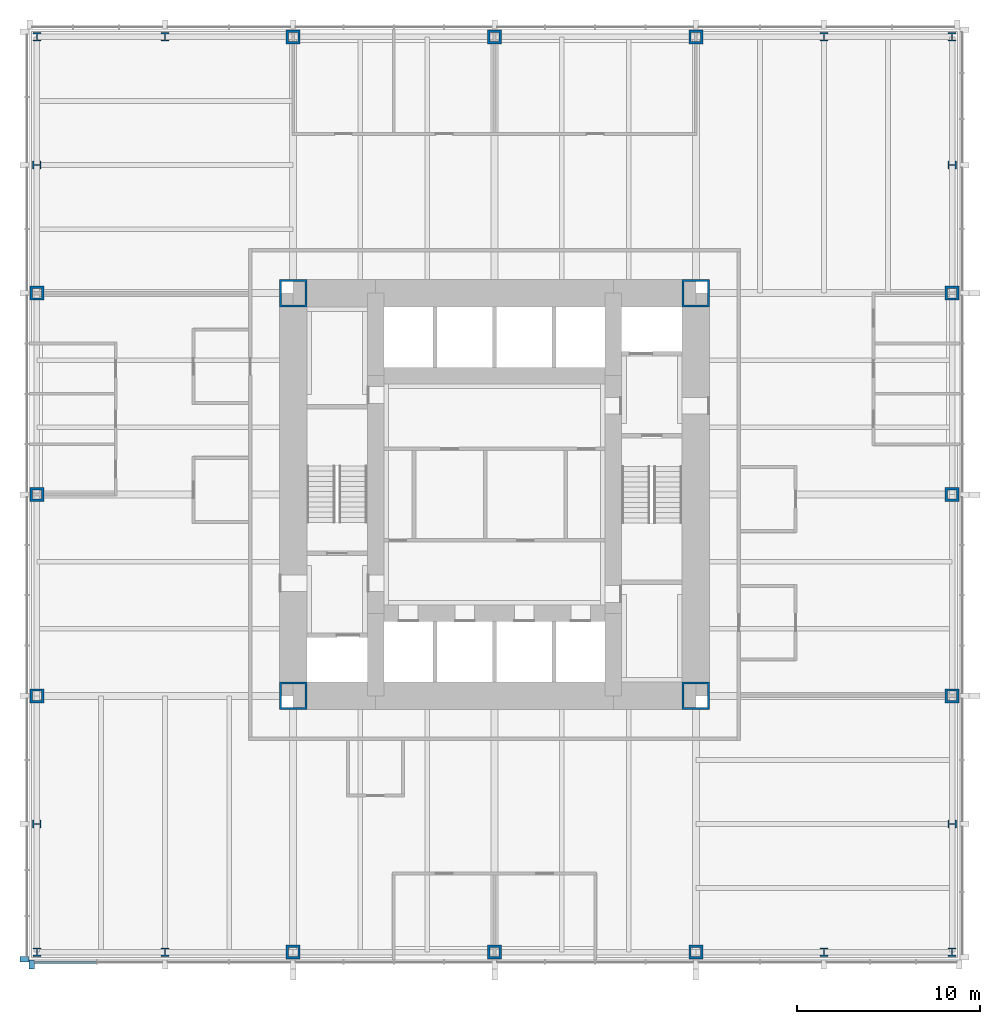
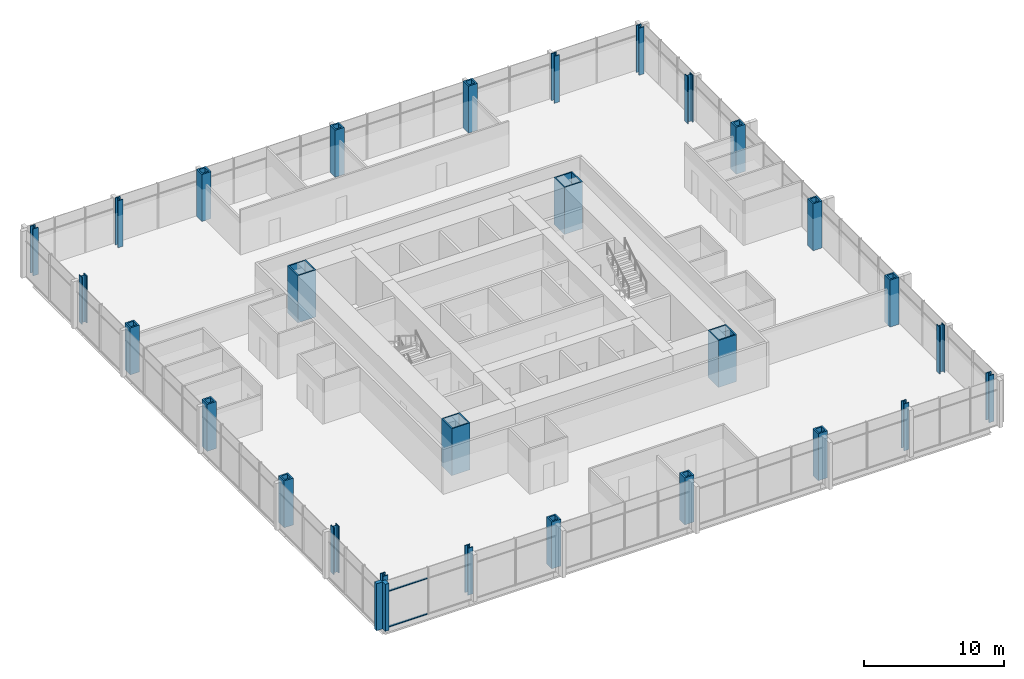
# One storey, part 1 of 12: 28 columns, 4 members, 2 elements without a shape of their own.
"""IFC4 building model written with IfcOpenShell, lengths in metres."""

from ifc_helpers import new_model, si_unit, direction, frame, origin, origin_2d, place, context, subcontext, project, spatial, rectangle, hollow_rectangle, i_section, extrude, material, material_profile, profile_set, type_object, element, aggregate, save


model = new_model("IFC4")

# Units and contexts
model_context = context("Model", 3, precision=1e-05, world=origin(), true_north=direction((0.0, 1.0)))
body_context = subcontext(model_context, "Body", "Model", "MODEL_VIEW")
ifc_project = project(units=[si_unit("LENGTHUNIT", "METRE"), si_unit("AREAUNIT", "SQUARE_METRE"), si_unit("VOLUMEUNIT", "CUBIC_METRE"), si_unit("PLANEANGLEUNIT", "RADIAN"), si_unit("MASSUNIT", "GRAM", prefix="KILO")], contexts=[model_context])

# Site, building, storey
site_placement = place(None, origin())
site = spatial("IfcSite", under=ifc_project, at=site_placement, CompositionType="ELEMENT")
building_placement = place(site_placement, origin())
building = spatial("IfcBuilding", under=site, at=building_placement, Name="Trevanion Tower", CompositionType="ELEMENT")
storey_placement = place(building_placement, frame((0.0, 0.0, 57.0)))
storey = spatial("IfcBuildingStorey", under=building, at=storey_placement, Name="L13", CompositionType="ELEMENT", Elevation=57.0)

# Columns
ifc_material_1 = material(Name="Steel ASTM A588 Grade 50", Category="steel")
ifc_material_profile_1 = material_profile(ifc_material_1, hollow_rectangle(XDim=0.761962890625, YDim=0.761962890625, WallThickness=0.126953125, at=origin_2d()), Name="BOX30X30X5")
ifc_profile_set_1 = profile_set([ifc_material_profile_1], Name="Steel ASTM A588 Grade 50")
column_type_1 = type_object("IfcColumnType", Name="C1 BOX30X30X5", PredefinedType="COLUMN", material=ifc_profile_set_1)
for number, where, z_axis, x_axis, name in (
    (1, (-25.0, 0.0, 0.0), (0.0, 0.0, 1.0), (0.0, 1.0, 0.0), "C1 3/H L13"),
    (2, (-25.0, -11.0, 0.0), (0.0, 0.0, 1.0), (0.0, 1.0, 0.0), "C1 3/F L13"),
    (3, (-11.0, -25.0, 0.0), (0.0, 0.0, 1.0), (1.0, 0.0, 0.0), "C1 8/A L13"),
    (4, (0.0, -25.0, 0.0), (0.0, 0.0, 1.0), (1.0, 0.0, 0.0), "C1 10/A L13"),
    (5, (11.0, -25.0, 0.0), (0.0, 0.0, 1.0), (1.0, 0.0, 0.0), "C1 12/A L13"),
    (6, (25.0, -11.0, 0.0), (0.0, 0.0, 1.0), (0.0, 1.0, 0.0), "C1 17/F L13"),
    (7, (25.0, 0.0, 0.0), (0.0, 0.0, 1.0), (0.0, 1.0, 0.0), "C1 17/H L13"),
    (8, (25.0, 11.0, 0.0), (0.0, 0.0, 1.0), (0.0, 1.0, 0.0), "C1 17/K L13"),
    (9, (11.0, 25.0, 0.0), (0.0, 0.0, 1.0), (1.0, 0.0, 0.0), "C1 12/Q L13"),
    (10, (0.0, 25.0, 0.0), (0.0, 0.0, 1.0), (1.0, 0.0, 0.0), "C1 10/Q L13"),
    (11, (-11.0, 25.0, 0.0), (0.0, 0.0, 1.0), (1.0, 0.0, 0.0), "C1 8/Q L13"),
    (12, (-25.0, 11.0, 0.0), (0.0, 0.0, 1.0), (0.0, 1.0, 0.0), "C1 3/K L13"),
):
    element("IfcColumn", number, at=place(storey_placement, frame(where, z_axis=z_axis, x_axis=x_axis)), inside=storey, type_object=column_type_1, Name=name, PredefinedType="COLUMN", context=body_context, shape_type="SweptSolid", body=[
        extrude(hollow_rectangle(XDim=0.761962890625, YDim=0.761962890625, WallThickness=0.126953125, at=origin_2d()), origin(), (0.0, 0.0, 1.0), 4.10009765625),
    ])
ifc_material_2 = material(Name="Steel ASTM A913 Grade 65", Category="steel")
ifc_material_profile_2 = material_profile(ifc_material_2, i_section(OverallWidth=0.421630859375, OverallDepth=0.46484375, WebThickness=0.044921875, FlangeThickness=0.072509765625, at=origin_2d()), Name="W14X398")
ifc_profile_set_2 = profile_set([ifc_material_profile_2], Name="Steel ASTM A913 Grade 65")
column_type_2 = type_object("IfcColumnType", Name="C2 W14X398", PredefinedType="COLUMN", material=ifc_profile_set_2)
for number, where, z_axis, x_axis, name in (
    (13, (-25.0, -18.0, 0.0), (0.0, 0.0, 1.0), (0.0, 1.0, 0.0), "C2 3/D L13"),
    (14, (-25.0, -25.0, 0.0), (0.0, 0.0, 1.0), (1.0, 0.0, 0.0), "C2 3/A L13"),
    (15, (-18.0, -25.0, 0.0), (0.0, 0.0, 1.0), (1.0, 0.0, 0.0), "C2 6/A L13"),
    (16, (18.0, -25.0, 0.0), (0.0, 0.0, 1.0), (1.0, 0.0, 0.0), "C2 14/A L13"),
    (17, (25.0, -25.0, 0.0), (0.0, 0.0, 1.0), (1.0, 0.0, 0.0), "C2 17/A L13"),
    (18, (25.0, -18.0, 0.0), (0.0, 0.0, 1.0), (0.0, 1.0, 0.0), "C2 17/D L13"),
    (19, (25.0, 18.0, 0.0), (0.0, 0.0, 1.0), (0.0, 1.0, 0.0), "C2 17/M L13"),
    (20, (25.0, 25.0, 0.0), (0.0, 0.0, 1.0), (1.0, 0.0, 0.0), "C2 17/Q L13"),
    (21, (18.0, 25.0, 0.0), (0.0, 0.0, 1.0), (1.0, 0.0, 0.0), "C2 14/Q L13"),
    (22, (-18.0, 25.0, 0.0), (0.0, 0.0, 1.0), (1.0, 0.0, 0.0), "C2 6/Q L13"),
    (23, (-25.0, 25.0, 0.0), (0.0, 0.0, 1.0), (1.0, 0.0, 0.0), "C2 3/Q L13"),
    (24, (-25.0, 18.0, 0.0), (0.0, 0.0, 1.0), (0.0, 1.0, 0.0), "C2 3/M L13"),
):
    element("IfcColumn", number, at=place(storey_placement, frame(where, z_axis=z_axis, x_axis=x_axis)), inside=storey, type_object=column_type_2, Name=name, PredefinedType="COLUMN", context=body_context, shape_type="SweptSolid", body=[
        extrude(i_section(OverallWidth=0.421630859375, OverallDepth=0.46484375, WebThickness=0.044921875, FlangeThickness=0.072509765625, at=origin_2d()), origin(), (0.0, 0.0, 1.0), 4.10009765625),
    ])
ifc_material_3 = material(Name="Steel ASTM A572 Grade 50", Category="steel")
ifc_material_profile_3 = material_profile(ifc_material_3, hollow_rectangle(XDim=1.49853515625, YDim=1.49853515625, WallThickness=0.1015625, at=origin_2d()), Name="BOX59X59X4")
ifc_profile_set_3 = profile_set([ifc_material_profile_3], Name="Steel ASTM A572 Grade 50")
column_type_3 = type_object("IfcColumnType", Name="CB1 BOX59X59X4", PredefinedType="COLUMN", material=ifc_profile_set_3)
for number, where, z_axis, x_axis, name in (
    (25, (11.0, 11.0, 0.0), (0.0, 0.0, 1.0), (1.0, 0.0, 0.0), "CB1 NE L13"),
    (26, (-11.0, 11.0, 0.0), (0.0, 0.0, 1.0), (1.0, 0.0, 0.0), "CB1 NW L13"),
    (27, (-11.0, -11.0, 0.0), (0.0, 0.0, 1.0), (1.0, 0.0, 0.0), "CB1 SW L13"),
    (28, (11.0, -11.0, 0.0), (0.0, 0.0, 1.0), (1.0, 0.0, 0.0), "CB1 SE L13"),
):
    element("IfcColumn", number, at=place(storey_placement, frame(where, z_axis=z_axis, x_axis=x_axis)), inside=storey, type_object=column_type_3, Name=name, PredefinedType="COLUMN", context=body_context, shape_type="SweptSolid", body=[
        extrude(hollow_rectangle(XDim=1.49853515625, YDim=1.49853515625, WallThickness=0.1015625, at=origin_2d()), origin(), (0.0, 0.0, 1.0), 4.10009765625),
    ])

# Curtain wall, member
ifc_material_4 = material(Name="Aluminium and glass", Category="aluminium")
curtain_wall_type = type_object("IfcCurtainWallType", Name="CW1 curtain wall", PredefinedType="USERDEFINED", material=ifc_material_4)
curtain_wall_1_placement = place(storey_placement, origin())
curtain_wall_1 = element("IfcCurtainWall", 29, at=curtain_wall_1_placement, inside=storey, type_object=curtain_wall_type, Name="CW1 L13 2", ObjectType="UNITISED CURTAIN WALL", PredefinedType="USERDEFINED")
ifc_material_5 = material(Name="Aluminium extrusion, anodised bronze", Category="aluminium")
ifc_material_profile_4 = material_profile(ifc_material_5, rectangle(XDim=0.300048828125, YDim=0.5, at=origin_2d()), Name="CW1 pier mullion")
ifc_profile_set_4 = profile_set([ifc_material_profile_4], Name="Aluminium extrusion, anodised bronze")
member_type_1 = type_object("IfcMemberType", Name="CW1 pier mullion", PredefinedType="MULLION", material=ifc_profile_set_4)
member_1_placement = place(storey_placement, frame((-25.675048828125, -25.39990234375, -0.18994140625), z_axis=(0.0, 0.0, 1.0), x_axis=(0.0, -1.0, 0.0)))
member_1 = element("IfcMember", 30, at=member_1_placement, type_object=member_type_1, Name="CW1 pier mullion 18", PredefinedType="MULLION", context=body_context, shape_type="SweptSolid", body=[
    extrude(rectangle(XDim=0.300048828125, YDim=0.5, at=origin_2d()), origin(), (0.0, 0.0, 1.0), 4.099853515625),
])
aggregate(curtain_wall_1, [member_1])

# Curtain wall, members
curtain_wall_2_placement = place(storey_placement, origin())
curtain_wall_2 = element("IfcCurtainWall", 31, at=curtain_wall_2_placement, inside=storey, type_object=curtain_wall_type, Name="CW1 L13 3", ObjectType="UNITISED CURTAIN WALL", PredefinedType="USERDEFINED")
member_2_placement = place(storey_placement, frame((-25.27001953125, -25.675048828125, -0.18994140625), z_axis=(0.0, 0.0, 1.0), x_axis=(1.0, 0.0, 0.0)))
member_2 = element("IfcMember", 32, at=member_2_placement, type_object=member_type_1, Name="CW1 pier mullion 1", PredefinedType="MULLION", context=body_context, shape_type="SweptSolid", body=[
    extrude(rectangle(XDim=0.300048828125, YDim=0.5, at=origin_2d()), origin(), (0.0, 0.0, 1.0), 4.099853515625),
])
ifc_material_6 = material(Name="Aluminium extrusion, anodised bronze", Category="aluminium")
ifc_material_profile_5 = material_profile(ifc_material_6, rectangle(XDim=0.14990234375, YDim=0.074951171875, at=origin_2d()), Name="CW1 transom")
ifc_profile_set_5 = profile_set([ifc_material_profile_5], Name="Aluminium extrusion, anodised bronze")
member_type_2 = type_object("IfcMemberType", Name="CW1 transom", PredefinedType="USERDEFINED", material=ifc_profile_set_5)
member_3_placement = place(storey_placement, frame((-25.1201171875, -25.550048828125, -0.152587890625), z_axis=(1.0, 0.0, 0.0), x_axis=(0.0, 1.0, 0.0)))
member_3 = element("IfcMember", 33, at=member_3_placement, type_object=member_type_2, Name="CW1 transom 1.1", ObjectType="TRANSOM", PredefinedType="USERDEFINED", context=body_context, shape_type="SweptSolid", body=[
    extrude(rectangle(XDim=0.14990234375, YDim=0.074951171875, at=origin_2d()), origin(), (0.0, 0.0, 1.0), 3.37255859375),
])
member_4_placement = place(storey_placement, frame((-25.1201171875, -25.550048828125, 2.9599609375), z_axis=(1.0, 0.0, 0.0), x_axis=(0.0, 1.0, 0.0)))
member_4 = element("IfcMember", 34, at=member_4_placement, type_object=member_type_2, Name="CW1 transom 1.2", ObjectType="TRANSOM", PredefinedType="USERDEFINED", context=body_context, shape_type="SweptSolid", body=[
    extrude(rectangle(XDim=0.14990234375, YDim=0.074951171875, at=origin_2d()), origin(), (0.0, 0.0, 1.0), 3.37255859375),
])
aggregate(curtain_wall_2, [member_2, member_3, member_4])

save(model, "model.ifc")
